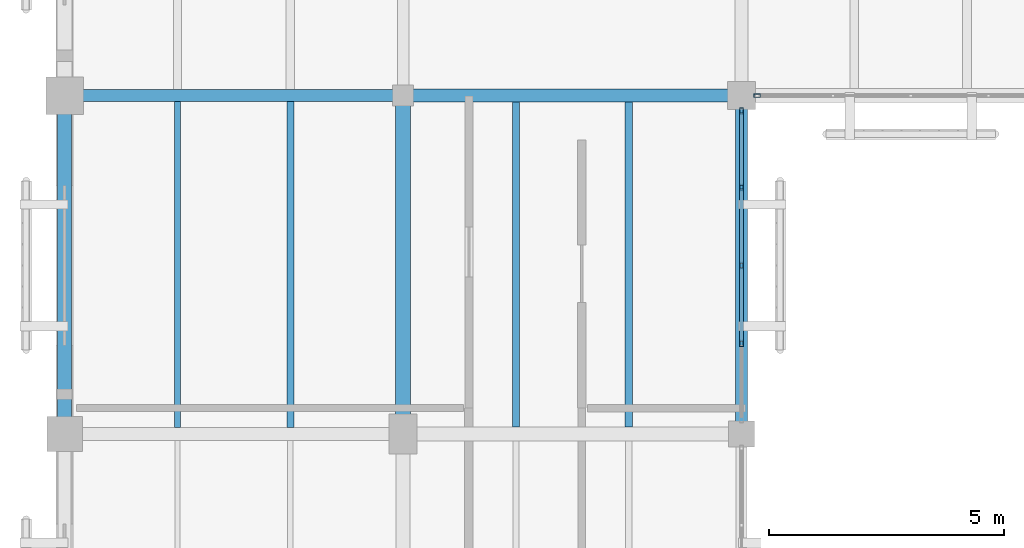
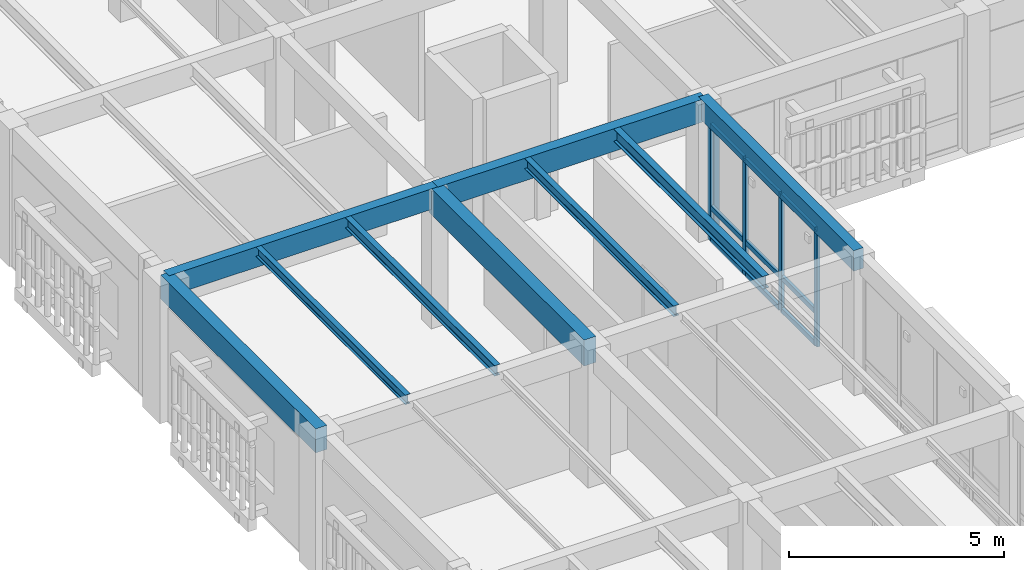
# One storey, part 59 of 170: 14 members, 9 beams, 2 elements without a shape of their own.
"""IFC4 building model written with IfcOpenShell, lengths in metres."""

from ifc_helpers import new_model, si_unit, direction, frame, origin, origin_2d, place, context, subcontext, project, spatial, rectangle, hollow_rectangle, i_section, extrude, material, layer, layer_set, material_profile, profile_set, type_object, element, aggregate, save


model = new_model("IFC4")

# Units and contexts
model_context = context("Model", 3, precision=1e-05, world=origin(), true_north=direction((0.0, 1.0)))
body_context = subcontext(model_context, "Body", "Model", "MODEL_VIEW")
ifc_project = project(units=[si_unit("LENGTHUNIT", "METRE"), si_unit("AREAUNIT", "SQUARE_METRE"), si_unit("VOLUMEUNIT", "CUBIC_METRE"), si_unit("PLANEANGLEUNIT", "RADIAN"), si_unit("MASSUNIT", "GRAM", prefix="KILO")], contexts=[model_context])

# Site, building, storey
site_placement = place(None, origin())
site = spatial("IfcSite", under=ifc_project, at=site_placement, CompositionType="ELEMENT")
building_placement = place(site_placement, origin())
building = spatial("IfcBuilding", under=site, at=building_placement, Name="Mazaris Harbour Polytechnic", CompositionType="ELEMENT")
storey_placement = place(building_placement, frame((0.0, 0.0, 5.39990234375)))
storey = spatial("IfcBuildingStorey", under=building, at=storey_placement, Name="L01", CompositionType="ELEMENT", Elevation=5.39990234375)

# Curtain wall, member
ifc_material_1 = material(Name="Anodised Bronze Aluminium and Low-E Glass", Category="aluminium")
ifc_layer = layer(ifc_material_1, 0.159912109375, Name="Anodised Bronze Aluminium and Low-E Glass")
ifc_layer_set = layer_set([ifc_layer], Name="Anodised Bronze Aluminium and Low-E Glass")
curtain_wall_type = type_object("IfcCurtainWallType", Name="Cloister Court Curtain Wall", PredefinedType="NOTDEFINED", material=ifc_layer_set)
curtain_wall_1_placement = place(storey_placement, origin())
curtain_wall_1 = element("IfcCurtainWall", 1, at=curtain_wall_1_placement, inside=storey, type_object=curtain_wall_type, Name="V4 L01 Curtain Wall 118", PredefinedType="NOTDEFINED")
ifc_material_2 = material(Name="Anodised Bronze Steel S355", Category="steel")
ifc_material_profile_1 = material_profile(ifc_material_2, hollow_rectangle(XDim=0.080078125, YDim=0.139892578125, WallThickness=0.00634765625, at=origin_2d()), Name="RHS 80x140x6.3")
ifc_profile_set_1 = profile_set([ifc_material_profile_1], Name="Anodised Bronze Steel S355")
member_type_1 = type_object("IfcMemberType", Name="Curtain Mullion RHS80x140", PredefinedType="MULLION", material=ifc_profile_set_1)
member_1_placement = place(storey_placement, frame((14.73193359375, 68.39990234375, 0.0), z_axis=(0.0, 0.0, 1.0), x_axis=(0.0, -1.0, 0.0)))
member_1 = element("IfcMember", 2, at=member_1_placement, type_object=member_type_1, Name="CW-02 mullion 5", PredefinedType="MULLION", context=body_context, shape_type="SweptSolid", body=[
    extrude(hollow_rectangle(XDim=0.080078125, YDim=0.139892578125, WallThickness=0.00634765625, at=origin_2d()), origin(), (0.0, 0.0, 1.0), 3.2001953125),
])
aggregate(curtain_wall_1, [member_1])

# Curtain wall, members
curtain_wall_2_placement = place(storey_placement, origin())
curtain_wall_2 = element("IfcCurtainWall", 3, at=curtain_wall_2_placement, inside=storey, type_object=curtain_wall_type, Name="V4 L01 Curtain Wall 123", PredefinedType="NOTDEFINED")
member_2_placement = place(storey_placement, frame((14.39990234375, 63.127197265625, 0.0), z_axis=(0.0, 0.0, 1.0), x_axis=(-1.0, 0.0, 0.0)))
member_2 = element("IfcMember", 4, at=member_2_placement, type_object=member_type_1, Name="CW-02 mullion 2", PredefinedType="MULLION", context=body_context, shape_type="SweptSolid", body=[
    extrude(hollow_rectangle(XDim=0.080078125, YDim=0.139892578125, WallThickness=0.00634765625, at=origin_2d()), origin(), (0.0, 0.0, 1.0), 3.300048828125),
])
member_3_placement = place(storey_placement, frame((14.39990234375, 64.78759765625, 0.0), z_axis=(0.0, 0.0, 1.0), x_axis=(-1.0, 0.0, 0.0)))
member_3 = element("IfcMember", 5, at=member_3_placement, type_object=member_type_1, Name="CW-02 mullion 3", PredefinedType="MULLION", context=body_context, shape_type="SweptSolid", body=[
    extrude(hollow_rectangle(XDim=0.080078125, YDim=0.139892578125, WallThickness=0.00634765625, at=origin_2d()), origin(), (0.0, 0.0, 1.0), 3.300048828125),
])
member_4_placement = place(storey_placement, frame((14.39990234375, 66.44775390625, 0.0), z_axis=(0.0, 0.0, 1.0), x_axis=(-1.0, 0.0, 0.0)))
member_4 = element("IfcMember", 6, at=member_4_placement, type_object=member_type_1, Name="CW-02 mullion 4", PredefinedType="MULLION", context=body_context, shape_type="SweptSolid", body=[
    extrude(hollow_rectangle(XDim=0.080078125, YDim=0.139892578125, WallThickness=0.00634765625, at=origin_2d()), origin(), (0.0, 0.0, 1.0), 3.300048828125),
])
member_5_placement = place(storey_placement, frame((14.39990234375, 68.068115234375, 0.0), z_axis=(0.0, 0.0, 1.0), x_axis=(-1.0, 0.0, 0.0)))
member_5 = element("IfcMember", 7, at=member_5_placement, type_object=member_type_1, Name="CW-02 mullion 5", PredefinedType="MULLION", context=body_context, shape_type="SweptSolid", body=[
    extrude(hollow_rectangle(XDim=0.080078125, YDim=0.139892578125, WallThickness=0.00634765625, at=origin_2d()), origin(), (0.0, 0.0, 1.0), 3.300048828125),
])
ifc_material_3 = material(Name="Anodised Bronze Steel S355", Category="steel")
ifc_material_profile_2 = material_profile(ifc_material_3, hollow_rectangle(XDim=0.080078125, YDim=0.139892578125, WallThickness=0.00634765625, at=origin_2d()), Name="RHS 80x140x6.3")
ifc_profile_set_2 = profile_set([ifc_material_profile_2], Name="Anodised Bronze Steel S355")
member_type_2 = type_object("IfcMemberType", Name="Curtain Transom RHS80x140", PredefinedType="USERDEFINED", material=ifc_profile_set_2)
member_6_placement = place(storey_placement, frame((14.39990234375, 63.167236328125, 0.0400390625), z_axis=(0.0, 1.0, 0.0), x_axis=(-1.0, 0.0, 0.0)))
member_6 = element("IfcMember", 8, at=member_6_placement, type_object=member_type_2, Name="CW-02 transom 2.1", ObjectType="TRANSOM", PredefinedType="USERDEFINED", context=body_context, shape_type="SweptSolid", body=[
    extrude(hollow_rectangle(XDim=0.080078125, YDim=0.139892578125, WallThickness=0.00634765625, at=origin_2d()), origin(), (0.0, 0.0, 1.0), 1.580322265625),
])
member_7_placement = place(storey_placement, frame((14.39990234375, 63.167236328125, 0.9501953125), z_axis=(0.0, 1.0, 0.0), x_axis=(-1.0, 0.0, 0.0)))
member_7 = element("IfcMember", 9, at=member_7_placement, type_object=member_type_2, Name="CW-02 transom 2.2", ObjectType="TRANSOM", PredefinedType="USERDEFINED", context=body_context, shape_type="SweptSolid", body=[
    extrude(hollow_rectangle(XDim=0.080078125, YDim=0.139892578125, WallThickness=0.00634765625, at=origin_2d()), origin(), (0.0, 0.0, 1.0), 1.580322265625),
])
member_8_placement = place(storey_placement, frame((14.39990234375, 63.167236328125, 3.260009765625), z_axis=(0.0, 1.0, 0.0), x_axis=(-1.0, 0.0, 0.0)))
member_8 = element("IfcMember", 10, at=member_8_placement, type_object=member_type_2, Name="CW-02 transom 2.3", ObjectType="TRANSOM", PredefinedType="USERDEFINED", context=body_context, shape_type="SweptSolid", body=[
    extrude(hollow_rectangle(XDim=0.080078125, YDim=0.139892578125, WallThickness=0.00634765625, at=origin_2d()), origin(), (0.0, 0.0, 1.0), 1.580322265625),
])
member_9_placement = place(storey_placement, frame((14.39990234375, 64.827392578125, 0.0400390625), z_axis=(0.0, 1.0, 0.0), x_axis=(-1.0, 0.0, 0.0)))
member_9 = element("IfcMember", 11, at=member_9_placement, type_object=member_type_2, Name="CW-02 transom 3.1", ObjectType="TRANSOM", PredefinedType="USERDEFINED", context=body_context, shape_type="SweptSolid", body=[
    extrude(hollow_rectangle(XDim=0.080078125, YDim=0.139892578125, WallThickness=0.00634765625, at=origin_2d()), origin(), (0.0, 0.0, 1.0), 1.580322265625),
])
member_10_placement = place(storey_placement, frame((14.39990234375, 64.827392578125, 0.9501953125), z_axis=(0.0, 1.0, 0.0), x_axis=(-1.0, 0.0, 0.0)))
member_10 = element("IfcMember", 12, at=member_10_placement, type_object=member_type_2, Name="CW-02 transom 3.2", ObjectType="TRANSOM", PredefinedType="USERDEFINED", context=body_context, shape_type="SweptSolid", body=[
    extrude(hollow_rectangle(XDim=0.080078125, YDim=0.139892578125, WallThickness=0.00634765625, at=origin_2d()), origin(), (0.0, 0.0, 1.0), 1.580322265625),
])
member_11_placement = place(storey_placement, frame((14.39990234375, 64.827392578125, 3.260009765625), z_axis=(0.0, 1.0, 0.0), x_axis=(-1.0, 0.0, 0.0)))
member_11 = element("IfcMember", 13, at=member_11_placement, type_object=member_type_2, Name="CW-02 transom 3.3", ObjectType="TRANSOM", PredefinedType="USERDEFINED", context=body_context, shape_type="SweptSolid", body=[
    extrude(hollow_rectangle(XDim=0.080078125, YDim=0.139892578125, WallThickness=0.00634765625, at=origin_2d()), origin(), (0.0, 0.0, 1.0), 1.580322265625),
])
member_12_placement = place(storey_placement, frame((14.39990234375, 66.48779296875, 0.0400390625), z_axis=(0.0, 1.0, 0.0), x_axis=(-1.0, 0.0, 0.0)))
member_12 = element("IfcMember", 14, at=member_12_placement, type_object=member_type_2, Name="CW-02 transom 4.1", ObjectType="TRANSOM", PredefinedType="USERDEFINED", context=body_context, shape_type="SweptSolid", body=[
    extrude(hollow_rectangle(XDim=0.080078125, YDim=0.139892578125, WallThickness=0.00634765625, at=origin_2d()), origin(), (0.0, 0.0, 1.0), 1.540283203125),
])
member_13_placement = place(storey_placement, frame((14.39990234375, 66.48779296875, 0.9501953125), z_axis=(0.0, 1.0, 0.0), x_axis=(-1.0, 0.0, 0.0)))
member_13 = element("IfcMember", 15, at=member_13_placement, type_object=member_type_2, Name="CW-02 transom 4.2", ObjectType="TRANSOM", PredefinedType="USERDEFINED", context=body_context, shape_type="SweptSolid", body=[
    extrude(hollow_rectangle(XDim=0.080078125, YDim=0.139892578125, WallThickness=0.00634765625, at=origin_2d()), origin(), (0.0, 0.0, 1.0), 1.540283203125),
])
member_14_placement = place(storey_placement, frame((14.39990234375, 66.48779296875, 3.260009765625), z_axis=(0.0, 1.0, 0.0), x_axis=(-1.0, 0.0, 0.0)))
member_14 = element("IfcMember", 16, at=member_14_placement, type_object=member_type_2, Name="CW-02 transom 4.3", ObjectType="TRANSOM", PredefinedType="USERDEFINED", context=body_context, shape_type="SweptSolid", body=[
    extrude(hollow_rectangle(XDim=0.080078125, YDim=0.139892578125, WallThickness=0.00634765625, at=origin_2d()), origin(), (0.0, 0.0, 1.0), 1.540283203125),
])
aggregate(curtain_wall_2, [member_2, member_3, member_4, member_5, member_6, member_7, member_8, member_9, member_10, member_11, member_12, member_13, member_14])

# Beams
ifc_material_4 = material(Name="Glulam GL32h", Category="wood")
ifc_material_profile_3 = material_profile(ifc_material_4, rectangle(XDim=0.260009765625, YDim=0.580078125, at=origin_2d()), Name="RECT260x580")
ifc_profile_set_3 = profile_set([ifc_material_profile_3], Name="Glulam GL32h")
beam_type_1 = type_object("IfcBeamType", Name="Glulam Girder 260x580", PredefinedType="BEAM", material=ifc_profile_set_3)
for number, where, z_axis, x_axis, name in (
    (17, (0.0, 68.39990234375, 3.60009765625), (1.0, 0.0, 0.0), (0.0, 1.0, 0.0), "V4 L01 Girder 1666"),
    (18, (14.39990234375, 61.199951171875, 3.60009765625), (0.0, 1.0, 0.0), (-1.0, 0.0, 0.0), "V4 L01 Tie Girder 1726"),
):
    element("IfcBeam", number, at=place(storey_placement, frame(where, z_axis=z_axis, x_axis=x_axis)), inside=storey, type_object=beam_type_1, Name=name, PredefinedType="BEAM", context=body_context, shape_type="SweptSolid", body=[
        extrude(rectangle(XDim=0.260009765625, YDim=0.580078125, at=origin_2d()), origin(), (0.0, 0.0, 1.0), 7.199951171875),
    ])
ifc_material_5 = material(Name="Glulam GL32h", Category="wood")
ifc_material_profile_4 = material_profile(ifc_material_5, rectangle(XDim=0.280029296875, YDim=0.639892578125, at=origin_2d()), Name="RECT280x640")
ifc_profile_set_4 = profile_set([ifc_material_profile_4], Name="Glulam GL32h")
beam_type_2 = type_object("IfcBeamType", Name="Glulam Girder 280x640", PredefinedType="BEAM", material=ifc_profile_set_4)
beam_1_placement = place(storey_placement, frame((7.199951171875, 68.39990234375, 3.570068359375), z_axis=(1.0, 0.0, 0.0), x_axis=(0.0, 1.0, 0.0)))
element("IfcBeam", 19, at=beam_1_placement, inside=storey, type_object=beam_type_2, Name="V4 L01 Girder 1667", PredefinedType="BEAM", context=body_context, shape_type="SweptSolid", body=[
    extrude(rectangle(XDim=0.280029296875, YDim=0.639892578125, at=origin_2d()), origin(), (0.0, 0.0, 1.0), 7.199951171875),
])
ifc_material_6 = material(Name="Glulam GL32h", Category="wood")
ifc_material_profile_5 = material_profile(ifc_material_6, rectangle(XDim=0.300048828125, YDim=0.679931640625, at=origin_2d()), Name="RECT300x680")
ifc_profile_set_5 = profile_set([ifc_material_profile_5], Name="Glulam GL32h")
beam_type_3 = type_object("IfcBeamType", Name="Glulam Girder 300x680 Exterior", PredefinedType="BEAM", material=ifc_profile_set_5)
beam_2_placement = place(storey_placement, frame((0.0, 61.199951171875, 3.550048828125), z_axis=(0.0, 1.0, 0.0), x_axis=(-1.0, 0.0, 0.0)))
element("IfcBeam", 20, at=beam_2_placement, inside=storey, type_object=beam_type_3, Name="V4 L01 Tie Girder 1703", PredefinedType="BEAM", context=body_context, shape_type="SweptSolid", body=[
    extrude(rectangle(XDim=0.300048828125, YDim=0.679931640625, at=origin_2d()), origin(), (0.0, 0.0, 1.0), 7.199951171875),
])
ifc_material_7 = material(Name="Glulam GL32h", Category="wood")
ifc_material_profile_6 = material_profile(ifc_material_7, rectangle(XDim=0.320068359375, YDim=0.739990234375, at=origin_2d()), Name="RECT320x740")
ifc_profile_set_6 = profile_set([ifc_material_profile_6], Name="Glulam GL32h")
beam_type_4 = type_object("IfcBeamType", Name="Glulam Girder 320x740", PredefinedType="BEAM", material=ifc_profile_set_6)
beam_3_placement = place(storey_placement, frame((7.199951171875, 61.199951171875, 3.52001953125), z_axis=(0.0, 1.0, 0.0), x_axis=(-1.0, 0.0, 0.0)))
element("IfcBeam", 21, at=beam_3_placement, inside=storey, type_object=beam_type_4, Name="V4 L01 Tie Girder 1714", PredefinedType="BEAM", context=body_context, shape_type="SweptSolid", body=[
    extrude(rectangle(XDim=0.320068359375, YDim=0.739990234375, at=origin_2d()), origin(), (0.0, 0.0, 1.0), 7.199951171875),
])
ifc_material_8 = material(Name="Steel S355", Category="steel")
ifc_material_profile_7 = material_profile(ifc_material_8, i_section(OverallWidth=0.135009765625, OverallDepth=0.27001953125, WebThickness=0.006591796875, FlangeThickness=0.01025390625, FilletRadius=0.014892578125, at=origin_2d()), Name="IPE 270")
ifc_profile_set_7 = profile_set([ifc_material_profile_7], Name="Steel S355")
beam_type_5 = type_object("IfcBeamType", Name="Steel Joist IPE270", PredefinedType="JOIST", material=ifc_profile_set_7)
beam_4_placement = place(storey_placement, frame((2.39990234375, 61.340087890625, 3.755126953125), z_axis=(0.0, 1.0, 0.0), x_axis=(-1.0, 0.0, 0.0)))
element("IfcBeam", 22, at=beam_4_placement, inside=storey, type_object=beam_type_5, Name="V4 L01 Floor Joist 1787", PredefinedType="JOIST", context=body_context, shape_type="SweptSolid", body=[
    extrude(i_section(OverallWidth=0.135009765625, OverallDepth=0.27001953125, WebThickness=0.006591796875, FlangeThickness=0.01025390625, FilletRadius=0.014892578125, at=origin_2d()), origin(), (0.0, 0.0, 1.0), 6.929931640625),
])
ifc_material_9 = material(Name="Steel S355", Category="steel")
ifc_material_profile_8 = material_profile(ifc_material_9, i_section(OverallWidth=0.14990234375, OverallDepth=0.300048828125, WebThickness=0.007080078125, FlangeThickness=0.0107421875, FilletRadius=0.014892578125, at=origin_2d()), Name="IPE 300")
ifc_profile_set_8 = profile_set([ifc_material_profile_8], Name="Steel S355")
beam_type_6 = type_object("IfcBeamType", Name="Steel Joist IPE300", PredefinedType="JOIST", material=ifc_profile_set_8)
beam_5_placement = place(storey_placement, frame((4.800048828125, 61.340087890625, 3.739990234375), z_axis=(0.0, 1.0, 0.0), x_axis=(-1.0, 0.0, 0.0)))
element("IfcBeam", 23, at=beam_5_placement, inside=storey, type_object=beam_type_6, Name="V4 L01 Floor Joist 1788", PredefinedType="JOIST", context=body_context, shape_type="SweptSolid", body=[
    extrude(i_section(OverallWidth=0.14990234375, OverallDepth=0.300048828125, WebThickness=0.007080078125, FlangeThickness=0.0107421875, FilletRadius=0.014892578125, at=origin_2d()), origin(), (0.0, 0.0, 1.0), 6.929931640625),
])
beam_6_placement = place(storey_placement, frame((9.60009765625, 61.35009765625, 3.739990234375), z_axis=(0.0, 1.0, 0.0), x_axis=(-1.0, 0.0, 0.0)))
element("IfcBeam", 24, at=beam_6_placement, inside=storey, type_object=beam_type_6, Name="V4 L01 Floor Joist 1809", PredefinedType="JOIST", context=body_context, shape_type="SweptSolid", body=[
    extrude(i_section(OverallWidth=0.14990234375, OverallDepth=0.300048828125, WebThickness=0.007080078125, FlangeThickness=0.0107421875, FilletRadius=0.014892578125, at=origin_2d()), origin(), (0.0, 0.0, 1.0), 6.909912109375),
])
ifc_material_10 = material(Name="Steel S355", Category="steel")
ifc_material_profile_9 = material_profile(ifc_material_10, i_section(OverallWidth=0.169921875, OverallDepth=0.360107421875, WebThickness=0.008056640625, FlangeThickness=0.0126953125, FilletRadius=0.01806640625, at=origin_2d()), Name="IPE 360")
ifc_profile_set_9 = profile_set([ifc_material_profile_9], Name="Steel S355")
beam_type_7 = type_object("IfcBeamType", Name="Steel Joist IPE360", PredefinedType="JOIST", material=ifc_profile_set_9)
beam_7_placement = place(storey_placement, frame((12.0, 61.35009765625, 3.710205078125), z_axis=(0.0, 1.0, 0.0), x_axis=(-1.0, 0.0, 0.0)))
element("IfcBeam", 25, at=beam_7_placement, inside=storey, type_object=beam_type_7, Name="V4 L01 Floor Joist 1810", PredefinedType="JOIST", context=body_context, shape_type="SweptSolid", body=[
    extrude(i_section(OverallWidth=0.169921875, OverallDepth=0.360107421875, WebThickness=0.008056640625, FlangeThickness=0.0126953125, FilletRadius=0.01806640625, at=origin_2d()), origin(), (0.0, 0.0, 1.0), 6.909912109375),
])

save(model, "model.ifc")
